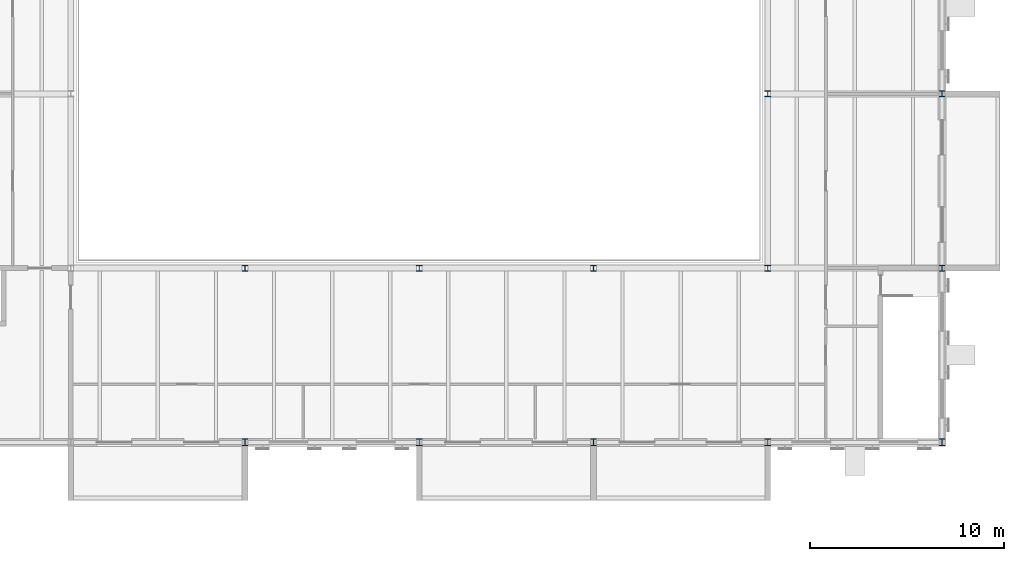
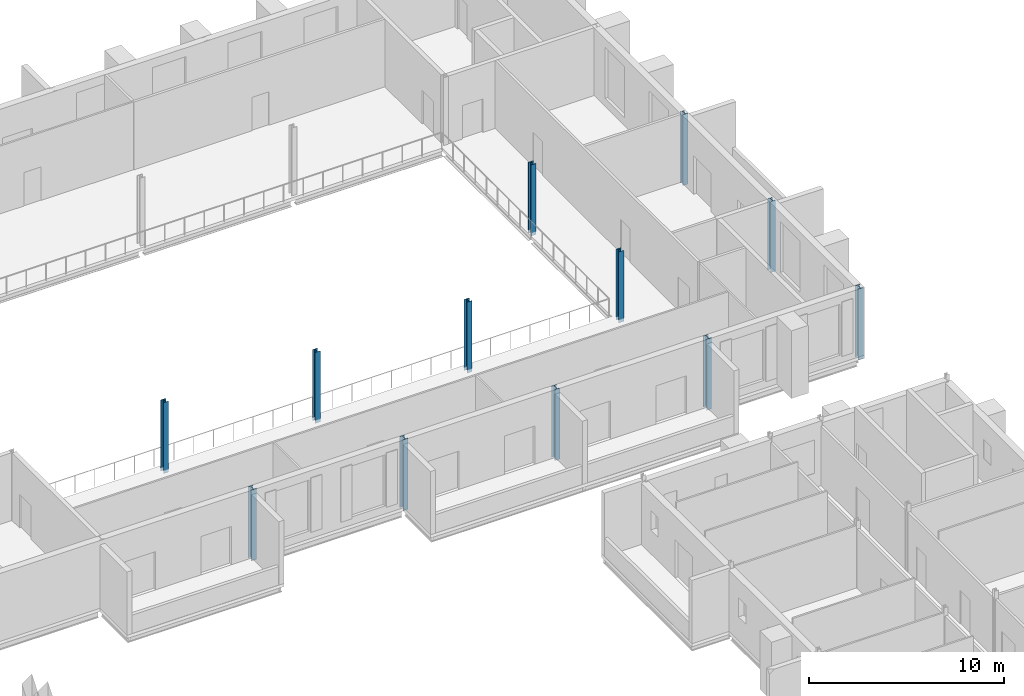
# One storey, part 22 of 131: 12 columns.
"""IFC4 building model written with IfcOpenShell, lengths in metres."""

from ifc_helpers import new_model, si_unit, direction, frame, origin, origin_2d, place, context, subcontext, project, spatial, i_section, extrude, material, material_profile, profile_set, type_object, element, save


model = new_model("IFC4")

# Units and contexts
model_context = context("Model", 3, precision=1e-05, world=origin(), true_north=direction((0.0, 1.0)))
body_context = subcontext(model_context, "Body", "Model", "MODEL_VIEW")
ifc_project = project(units=[si_unit("LENGTHUNIT", "METRE"), si_unit("AREAUNIT", "SQUARE_METRE"), si_unit("VOLUMEUNIT", "CUBIC_METRE"), si_unit("PLANEANGLEUNIT", "RADIAN"), si_unit("MASSUNIT", "GRAM", prefix="KILO")], contexts=[model_context])

# Site, building, storey
site_placement = place(None, origin())
site = spatial("IfcSite", under=ifc_project, at=site_placement, CompositionType="ELEMENT")
building_placement = place(site_placement, origin())
building = spatial("IfcBuilding", under=site, at=building_placement, Name="Golden Quay Civic Hall", CompositionType="ELEMENT")
storey_placement = place(building_placement, frame((0.0, 0.0, 9.89990234375)))
storey = spatial("IfcBuildingStorey", under=building, at=storey_placement, Name="L02", CompositionType="ELEMENT", Elevation=9.89990234375)

# Columns
ifc_material_1 = material(Name="Steel S355", Category="steel")
ifc_material_profile_1 = material_profile(ifc_material_1, i_section(OverallWidth=0.300048828125, OverallDepth=0.300048828125, WebThickness=0.010986328125, FlangeThickness=0.01904296875, FilletRadius=0.027099609375, at=origin_2d()), Name="HEB 300")
ifc_profile_set_1 = profile_set([ifc_material_profile_1], Name="Steel S355")
column_type_1 = type_object("IfcColumnType", Name="Steel column HEB 300", PredefinedType="COLUMN", material=ifc_profile_set_1)
for number, where, z_axis, x_axis, name in (
    (1, (135.0, 72.0, -0.199951171875), (0.0, 0.0, 1.0), (1.0, 0.0, 0.0), "L02 column 135/72"),
    (2, (144.0, 72.0, -0.199951171875), (0.0, 0.0, 1.0), (1.0, 0.0, 0.0), "L02 column 144/72"),
    (3, (153.0, 72.0, -0.199951171875), (0.0, 0.0, 1.0), (1.0, 0.0, 0.0), "L02 column 153/72"),
    (4, (162.0, 72.0, -0.199951171875), (0.0, 0.0, 1.0), (1.0, 0.0, 0.0), "L02 column 162/72"),
    (5, (162.0, 81.0, -0.199951171875), (0.0, 0.0, 1.0), (1.0, 0.0, 0.0), "L02 column 162/81"),
    (6, (171.0, 72.0, -0.199951171875), (0.0, 0.0, 1.0), (1.0, 0.0, 0.0), "L02 column 171/72"),
    (7, (171.0, 81.0, -0.199951171875), (0.0, 0.0, 1.0), (1.0, 0.0, 0.0), "L02 column 171/81"),
):
    element("IfcColumn", number, at=place(storey_placement, frame(where, z_axis=z_axis, x_axis=x_axis)), inside=storey, type_object=column_type_1, Name=name, PredefinedType="COLUMN", context=body_context, shape_type="SweptSolid", body=[
        extrude(i_section(OverallWidth=0.300048828125, OverallDepth=0.300048828125, WebThickness=0.010986328125, FlangeThickness=0.01904296875, FilletRadius=0.027099609375, at=origin_2d()), origin(), (0.0, 0.0, 1.0), 4.449951171875),
    ])
ifc_material_2 = material(Name="Steel S355", Category="steel")
ifc_material_profile_2 = material_profile(ifc_material_2, i_section(OverallWidth=0.300048828125, OverallDepth=0.360107421875, WebThickness=0.012451171875, FlangeThickness=0.0224609375, FilletRadius=0.027099609375, at=origin_2d()), Name="HEB 360")
ifc_profile_set_2 = profile_set([ifc_material_profile_2], Name="Steel S355")
column_type_2 = type_object("IfcColumnType", Name="Steel column HEB 360", PredefinedType="COLUMN", material=ifc_profile_set_2)
for number, where, z_axis, x_axis, name in (
    (8, (135.0, 63.0, -0.199951171875), (0.0, 0.0, 1.0), (1.0, 0.0, 0.0), "L02 column 135/63"),
    (9, (144.0, 63.0, -0.199951171875), (0.0, 0.0, 1.0), (1.0, 0.0, 0.0), "L02 column 144/63"),
    (10, (153.0, 63.0, -0.199951171875), (0.0, 0.0, 1.0), (1.0, 0.0, 0.0), "L02 column 153/63"),
    (11, (162.0, 63.0, -0.199951171875), (0.0, 0.0, 1.0), (1.0, 0.0, 0.0), "L02 column 162/63"),
    (12, (171.0, 63.0, -0.199951171875), (0.0, 0.0, 1.0), (1.0, 0.0, 0.0), "L02 column 171/63"),
):
    element("IfcColumn", number, at=place(storey_placement, frame(where, z_axis=z_axis, x_axis=x_axis)), inside=storey, type_object=column_type_2, Name=name, PredefinedType="COLUMN", context=body_context, shape_type="SweptSolid", body=[
        extrude(i_section(OverallWidth=0.300048828125, OverallDepth=0.360107421875, WebThickness=0.012451171875, FlangeThickness=0.0224609375, FilletRadius=0.027099609375, at=origin_2d()), origin(), (0.0, 0.0, 1.0), 4.449951171875),
    ])

save(model, "model.ifc")
